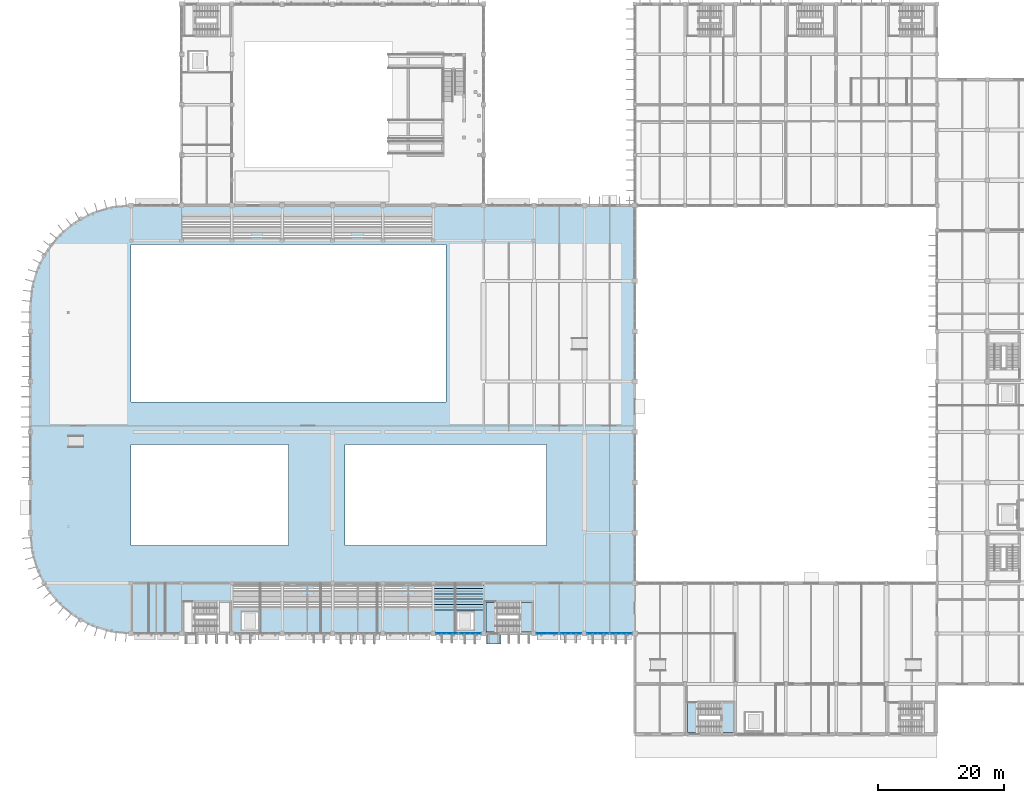
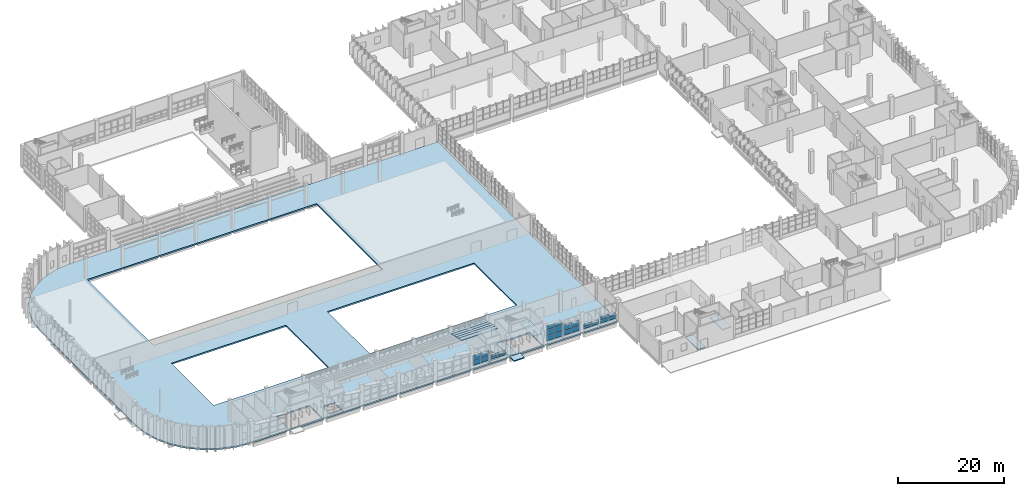
# One storey, part 54 of 103: 26 plates, 11 slabs, 8 elements without a shape of their own.
"""IFC4 building model written with IfcOpenShell, lengths in metres."""

from ifc_helpers import new_model, si_unit, direction, frame, origin, origin_2d, place, context, subcontext, project, spatial, polyline, rectangle, outline, extrude, material, layer, layer_set, type_object, element, aggregate, save


model = new_model("IFC4")

# Units and contexts
model_context = context("Model", 3, precision=1e-05, world=origin(), true_north=direction((0.0, 1.0)))
body_context = subcontext(model_context, "Body", "Model", "MODEL_VIEW")
ifc_project = project(units=[si_unit("LENGTHUNIT", "METRE"), si_unit("AREAUNIT", "SQUARE_METRE"), si_unit("VOLUMEUNIT", "CUBIC_METRE"), si_unit("PLANEANGLEUNIT", "RADIAN"), si_unit("MASSUNIT", "GRAM", prefix="KILO")], contexts=[model_context])

# Site, building, storey
site_placement = place(None, origin())
site = spatial("IfcSite", under=ifc_project, at=site_placement, CompositionType="ELEMENT")
building_placement = place(site_placement, origin())
building = spatial("IfcBuilding", under=site, at=building_placement, Name="Drelvana Railside Aquatics Centre", CompositionType="ELEMENT")
storey_placement = place(building_placement, origin())
storey = spatial("IfcBuildingStorey", under=building, at=storey_placement, Name="L00", CompositionType="ELEMENT", Elevation=0.0)

# Curtain wall, plates
ifc_material_1 = material(Name="Bronze-anodised aluminium curtain wall", Category="aluminium")
ifc_layer_1 = layer(ifc_material_1, 0.199951171875, Name="Bronze-anodised aluminium curtain wall")
ifc_layer_set_1 = layer_set([ifc_layer_1], Name="Bronze-anodised aluminium curtain wall")
curtain_wall_type = type_object("IfcCurtainWallType", Name="CW-Z1-SINE", PredefinedType="NOTDEFINED", material=ifc_layer_set_1)
curtain_wall_1_placement = place(storey_placement, origin())
curtain_wall_1 = element("IfcCurtainWall", 1, at=curtain_wall_1_placement, inside=storey, type_object=curtain_wall_type, Name="Curtain wall CW-01-011", PredefinedType="NOTDEFINED")
ifc_material_2 = material(Name="Double-glazed low-e solar-control glass", Category="glass")
ifc_layer_2 = layer(ifc_material_2, 0.031982421875, Name="Double-glazed low-e solar-control glass")
ifc_layer_set_2 = layer_set([ifc_layer_2], Name="Double-glazed low-e solar-control glass")
plate_type = type_object("IfcPlateType", Name="CW-Z1-SINE-PAN", PredefinedType="CURTAIN_PANEL", material=ifc_layer_set_2)
plate_1_placement = place(storey_placement, frame((65.279296875, 16.0, 0.708984375), z_axis=(0.0, 0.0, 1.0), x_axis=(1.0, 0.0, 0.0)))
plate_1 = element("IfcPlate", 2, at=plate_1_placement, type_object=plate_type, Name="CW-01 panel 1.1", PredefinedType="CURTAIN_PANEL", context=body_context, shape_type="SweptSolid", body=[
    extrude(rectangle(XDim=1.630615234375, YDim=0.031982421875, at=origin_2d()), origin(), (0.0, 0.0, 1.0), 0.990966796875),
])
plate_2_placement = place(storey_placement, frame((65.279296875, 16.0, 1.760009765625), z_axis=(0.0, 0.0, 1.0), x_axis=(1.0, 0.0, 0.0)))
plate_2 = element("IfcPlate", 3, at=plate_2_placement, type_object=plate_type, Name="CW-01 panel 1.2", PredefinedType="CURTAIN_PANEL", context=body_context, shape_type="SweptSolid", body=[
    extrude(rectangle(XDim=1.630615234375, YDim=0.031982421875, at=origin_2d()), origin(), (0.0, 0.0, 1.0), 1.23291015625),
])
plate_3_placement = place(storey_placement, frame((66.974853515625, 16.0, 0.708984375), z_axis=(0.0, 0.0, 1.0), x_axis=(1.0, 0.0, 0.0)))
plate_3 = element("IfcPlate", 4, at=plate_3_placement, type_object=plate_type, Name="CW-01 panel 2.1", PredefinedType="CURTAIN_PANEL", context=body_context, shape_type="SweptSolid", body=[
    extrude(rectangle(XDim=1.630615234375, YDim=0.031982421875, at=origin_2d()), origin(), (0.0, 0.0, 1.0), 0.990966796875),
])
plate_4_placement = place(storey_placement, frame((66.974853515625, 16.0, 1.760009765625), z_axis=(0.0, 0.0, 1.0), x_axis=(1.0, 0.0, 0.0)))
plate_4 = element("IfcPlate", 5, at=plate_4_placement, type_object=plate_type, Name="CW-01 panel 2.2", PredefinedType="CURTAIN_PANEL", context=body_context, shape_type="SweptSolid", body=[
    extrude(rectangle(XDim=1.630615234375, YDim=0.031982421875, at=origin_2d()), origin(), (0.0, 0.0, 1.0), 1.23291015625),
])
aggregate(curtain_wall_1, [plate_1, plate_2, plate_3, plate_4])

curtain_wall_2_placement = place(storey_placement, origin())
curtain_wall_2 = element("IfcCurtainWall", 6, at=curtain_wall_2_placement, inside=storey, type_object=curtain_wall_type, Name="Curtain wall CW-01-012", PredefinedType="NOTDEFINED")
plate_5_placement = place(storey_placement, frame((69.025146484375, 16.0, 0.708984375), z_axis=(0.0, 0.0, 1.0), x_axis=(1.0, 0.0, 0.0)))
plate_5 = element("IfcPlate", 7, at=plate_5_placement, type_object=plate_type, Name="CW-01 panel 1.1", PredefinedType="CURTAIN_PANEL", context=body_context, shape_type="SweptSolid", body=[
    extrude(rectangle(XDim=1.630615234375, YDim=0.031982421875, at=origin_2d()), origin(), (0.0, 0.0, 1.0), 0.45703125),
])
plate_6_placement = place(storey_placement, frame((69.025146484375, 16.0, 1.225830078125), z_axis=(0.0, 0.0, 1.0), x_axis=(1.0, 0.0, 0.0)))
plate_6 = element("IfcPlate", 8, at=plate_6_placement, type_object=plate_type, Name="CW-01 panel 1.2", PredefinedType="CURTAIN_PANEL", context=body_context, shape_type="SweptSolid", body=[
    extrude(rectangle(XDim=1.630615234375, YDim=0.031982421875, at=origin_2d()), origin(), (0.0, 0.0, 1.0), 0.5791015625),
])
plate_7_placement = place(storey_placement, frame((70.720703125, 16.0, 0.708984375), z_axis=(0.0, 0.0, 1.0), x_axis=(1.0, 0.0, 0.0)))
plate_7 = element("IfcPlate", 9, at=plate_7_placement, type_object=plate_type, Name="CW-01 panel 2.1", PredefinedType="CURTAIN_PANEL", context=body_context, shape_type="SweptSolid", body=[
    extrude(rectangle(XDim=1.630615234375, YDim=0.031982421875, at=origin_2d()), origin(), (0.0, 0.0, 1.0), 0.45703125),
])
plate_8_placement = place(storey_placement, frame((70.720703125, 16.0, 1.225830078125), z_axis=(0.0, 0.0, 1.0), x_axis=(1.0, 0.0, 0.0)))
plate_8 = element("IfcPlate", 10, at=plate_8_placement, type_object=plate_type, Name="CW-01 panel 2.2", PredefinedType="CURTAIN_PANEL", context=body_context, shape_type="SweptSolid", body=[
    extrude(rectangle(XDim=1.630615234375, YDim=0.031982421875, at=origin_2d()), origin(), (0.0, 0.0, 1.0), 0.5791015625),
])
aggregate(curtain_wall_2, [plate_5, plate_6, plate_7, plate_8])

curtain_wall_3_placement = place(storey_placement, origin())
curtain_wall_3 = element("IfcCurtainWall", 11, at=curtain_wall_3_placement, inside=storey, type_object=curtain_wall_type, Name="Curtain wall CW-01-013", PredefinedType="NOTDEFINED")
plate_9_placement = place(storey_placement, frame((81.279296875, 16.0, 0.708984375), z_axis=(0.0, 0.0, 1.0), x_axis=(1.0, 0.0, 0.0)))
plate_9 = element("IfcPlate", 12, at=plate_9_placement, type_object=plate_type, Name="CW-01 panel 1.1", PredefinedType="CURTAIN_PANEL", context=body_context, shape_type="SweptSolid", body=[
    extrude(rectangle(XDim=1.630615234375, YDim=0.031982421875, at=origin_2d()), origin(), (0.0, 0.0, 1.0), 1.18603515625),
])
plate_10_placement = place(storey_placement, frame((81.279296875, 16.0, 1.955078125), z_axis=(0.0, 0.0, 1.0), x_axis=(1.0, 0.0, 0.0)))
plate_10 = element("IfcPlate", 13, at=plate_10_placement, type_object=plate_type, Name="CW-01 panel 1.2", PredefinedType="CURTAIN_PANEL", context=body_context, shape_type="SweptSolid", body=[
    extrude(rectangle(XDim=1.630615234375, YDim=0.031982421875, at=origin_2d()), origin(), (0.0, 0.0, 1.0), 1.294921875),
])
plate_11_placement = place(storey_placement, frame((81.279296875, 16.0, 3.31005859375), z_axis=(0.0, 0.0, 1.0), x_axis=(1.0, 0.0, 0.0)))
plate_11 = element("IfcPlate", 14, at=plate_11_placement, type_object=plate_type, Name="CW-01 panel 1.3", PredefinedType="CURTAIN_PANEL", context=body_context, shape_type="SweptSolid", body=[
    extrude(rectangle(XDim=1.630615234375, YDim=0.031982421875, at=origin_2d()), origin(), (0.0, 0.0, 1.0), 0.929931640625),
])
plate_12_placement = place(storey_placement, frame((82.974853515625, 16.0, 0.708984375), z_axis=(0.0, 0.0, 1.0), x_axis=(1.0, 0.0, 0.0)))
plate_12 = element("IfcPlate", 15, at=plate_12_placement, type_object=plate_type, Name="CW-01 panel 2.1", PredefinedType="CURTAIN_PANEL", context=body_context, shape_type="SweptSolid", body=[
    extrude(rectangle(XDim=1.630615234375, YDim=0.031982421875, at=origin_2d()), origin(), (0.0, 0.0, 1.0), 1.18603515625),
])
plate_13_placement = place(storey_placement, frame((82.974853515625, 16.0, 1.955078125), z_axis=(0.0, 0.0, 1.0), x_axis=(1.0, 0.0, 0.0)))
plate_13 = element("IfcPlate", 16, at=plate_13_placement, type_object=plate_type, Name="CW-01 panel 2.2", PredefinedType="CURTAIN_PANEL", context=body_context, shape_type="SweptSolid", body=[
    extrude(rectangle(XDim=1.630615234375, YDim=0.031982421875, at=origin_2d()), origin(), (0.0, 0.0, 1.0), 1.294921875),
])
plate_14_placement = place(storey_placement, frame((82.974853515625, 16.0, 3.31005859375), z_axis=(0.0, 0.0, 1.0), x_axis=(1.0, 0.0, 0.0)))
plate_14 = element("IfcPlate", 17, at=plate_14_placement, type_object=plate_type, Name="CW-01 panel 2.3", PredefinedType="CURTAIN_PANEL", context=body_context, shape_type="SweptSolid", body=[
    extrude(rectangle(XDim=1.630615234375, YDim=0.031982421875, at=origin_2d()), origin(), (0.0, 0.0, 1.0), 0.929931640625),
])
aggregate(curtain_wall_3, [plate_9, plate_10, plate_11, plate_12, plate_13, plate_14])

curtain_wall_4_placement = place(storey_placement, origin())
curtain_wall_4 = element("IfcCurtainWall", 18, at=curtain_wall_4_placement, inside=storey, type_object=curtain_wall_type, Name="Curtain wall CW-01-014", PredefinedType="NOTDEFINED")
plate_15_placement = place(storey_placement, frame((85.025146484375, 16.0, 0.708984375), z_axis=(0.0, 0.0, 1.0), x_axis=(1.0, 0.0, 0.0)))
plate_15 = element("IfcPlate", 19, at=plate_15_placement, type_object=plate_type, Name="CW-01 panel 1.1", PredefinedType="CURTAIN_PANEL", context=body_context, shape_type="SweptSolid", body=[
    extrude(rectangle(XDim=1.630615234375, YDim=0.031982421875, at=origin_2d()), origin(), (0.0, 0.0, 1.0), 1.055908203125),
])
plate_16_placement = place(storey_placement, frame((85.025146484375, 16.0, 1.824951171875), z_axis=(0.0, 0.0, 1.0), x_axis=(1.0, 0.0, 0.0)))
plate_16 = element("IfcPlate", 20, at=plate_16_placement, type_object=plate_type, Name="CW-01 panel 1.2", PredefinedType="CURTAIN_PANEL", context=body_context, shape_type="SweptSolid", body=[
    extrude(rectangle(XDim=1.630615234375, YDim=0.031982421875, at=origin_2d()), origin(), (0.0, 0.0, 1.0), 1.31201171875),
])
plate_17_placement = place(storey_placement, frame((86.720703125, 16.0, 0.708984375), z_axis=(0.0, 0.0, 1.0), x_axis=(1.0, 0.0, 0.0)))
plate_17 = element("IfcPlate", 21, at=plate_17_placement, type_object=plate_type, Name="CW-01 panel 2.1", PredefinedType="CURTAIN_PANEL", context=body_context, shape_type="SweptSolid", body=[
    extrude(rectangle(XDim=1.630615234375, YDim=0.031982421875, at=origin_2d()), origin(), (0.0, 0.0, 1.0), 1.055908203125),
])
plate_18_placement = place(storey_placement, frame((86.720703125, 16.0, 1.824951171875), z_axis=(0.0, 0.0, 1.0), x_axis=(1.0, 0.0, 0.0)))
plate_18 = element("IfcPlate", 22, at=plate_18_placement, type_object=plate_type, Name="CW-01 panel 2.2", PredefinedType="CURTAIN_PANEL", context=body_context, shape_type="SweptSolid", body=[
    extrude(rectangle(XDim=1.630615234375, YDim=0.031982421875, at=origin_2d()), origin(), (0.0, 0.0, 1.0), 1.31201171875),
])
aggregate(curtain_wall_4, [plate_15, plate_16, plate_17, plate_18])

curtain_wall_5_placement = place(storey_placement, origin())
curtain_wall_5 = element("IfcCurtainWall", 23, at=curtain_wall_5_placement, inside=storey, type_object=curtain_wall_type, Name="Curtain wall CW-01-015", PredefinedType="NOTDEFINED")
plate_19_placement = place(storey_placement, frame((89.279296875, 16.0, 0.708984375), z_axis=(0.0, 0.0, 1.0), x_axis=(1.0, 0.0, 0.0)))
plate_19 = element("IfcPlate", 24, at=plate_19_placement, type_object=plate_type, Name="CW-01 panel 1.1", PredefinedType="CURTAIN_PANEL", context=body_context, shape_type="SweptSolid", body=[
    extrude(rectangle(XDim=1.630615234375, YDim=0.031982421875, at=origin_2d()), origin(), (0.0, 0.0, 1.0), 0.43701171875),
])
plate_20_placement = place(storey_placement, frame((89.279296875, 16.0, 1.2060546875), z_axis=(0.0, 0.0, 1.0), x_axis=(1.0, 0.0, 0.0)))
plate_20 = element("IfcPlate", 25, at=plate_20_placement, type_object=plate_type, Name="CW-01 panel 1.2", PredefinedType="CURTAIN_PANEL", context=body_context, shape_type="SweptSolid", body=[
    extrude(rectangle(XDim=1.630615234375, YDim=0.031982421875, at=origin_2d()), origin(), (0.0, 0.0, 1.0), 0.554931640625),
])
plate_21_placement = place(storey_placement, frame((90.974853515625, 16.0, 0.708984375), z_axis=(0.0, 0.0, 1.0), x_axis=(1.0, 0.0, 0.0)))
plate_21 = element("IfcPlate", 26, at=plate_21_placement, type_object=plate_type, Name="CW-01 panel 2.1", PredefinedType="CURTAIN_PANEL", context=body_context, shape_type="SweptSolid", body=[
    extrude(rectangle(XDim=1.630615234375, YDim=0.031982421875, at=origin_2d()), origin(), (0.0, 0.0, 1.0), 0.43701171875),
])
plate_22_placement = place(storey_placement, frame((90.974853515625, 16.0, 1.2060546875), z_axis=(0.0, 0.0, 1.0), x_axis=(1.0, 0.0, 0.0)))
plate_22 = element("IfcPlate", 27, at=plate_22_placement, type_object=plate_type, Name="CW-01 panel 2.2", PredefinedType="CURTAIN_PANEL", context=body_context, shape_type="SweptSolid", body=[
    extrude(rectangle(XDim=1.630615234375, YDim=0.031982421875, at=origin_2d()), origin(), (0.0, 0.0, 1.0), 0.554931640625),
])
aggregate(curtain_wall_5, [plate_19, plate_20, plate_21, plate_22])

curtain_wall_6_placement = place(storey_placement, origin())
curtain_wall_6 = element("IfcCurtainWall", 28, at=curtain_wall_6_placement, inside=storey, type_object=curtain_wall_type, Name="Curtain wall CW-01-016", PredefinedType="NOTDEFINED")
plate_23_placement = place(storey_placement, frame((93.025146484375, 16.0, 0.708984375), z_axis=(0.0, 0.0, 1.0), x_axis=(1.0, 0.0, 0.0)))
plate_23 = element("IfcPlate", 29, at=plate_23_placement, type_object=plate_type, Name="CW-01 panel 1.1", PredefinedType="CURTAIN_PANEL", context=body_context, shape_type="SweptSolid", body=[
    extrude(rectangle(XDim=1.630615234375, YDim=0.031982421875, at=origin_2d()), origin(), (0.0, 0.0, 1.0), 0.64111328125),
])
plate_24_placement = place(storey_placement, frame((93.025146484375, 16.0, 1.41015625), z_axis=(0.0, 0.0, 1.0), x_axis=(1.0, 0.0, 0.0)))
plate_24 = element("IfcPlate", 30, at=plate_24_placement, type_object=plate_type, Name="CW-01 panel 1.2", PredefinedType="CURTAIN_PANEL", context=body_context, shape_type="SweptSolid", body=[
    extrude(rectangle(XDim=1.630615234375, YDim=0.031982421875, at=origin_2d()), origin(), (0.0, 0.0, 1.0), 0.803955078125),
])
plate_25_placement = place(storey_placement, frame((94.720703125, 16.0, 0.708984375), z_axis=(0.0, 0.0, 1.0), x_axis=(1.0, 0.0, 0.0)))
plate_25 = element("IfcPlate", 31, at=plate_25_placement, type_object=plate_type, Name="CW-01 panel 2.1", PredefinedType="CURTAIN_PANEL", context=body_context, shape_type="SweptSolid", body=[
    extrude(rectangle(XDim=1.630615234375, YDim=0.031982421875, at=origin_2d()), origin(), (0.0, 0.0, 1.0), 0.64111328125),
])
plate_26_placement = place(storey_placement, frame((94.720703125, 16.0, 1.41015625), z_axis=(0.0, 0.0, 1.0), x_axis=(1.0, 0.0, 0.0)))
plate_26 = element("IfcPlate", 32, at=plate_26_placement, type_object=plate_type, Name="CW-01 panel 2.2", PredefinedType="CURTAIN_PANEL", context=body_context, shape_type="SweptSolid", body=[
    extrude(rectangle(XDim=1.630615234375, YDim=0.031982421875, at=origin_2d()), origin(), (0.0, 0.0, 1.0), 0.803955078125),
])
aggregate(curtain_wall_6, [plate_23, plate_24, plate_25, plate_26])

# Slabs
ifc_material_3 = material(Name="Concrete C40/50", Category="concrete")
ifc_layer_3 = layer(ifc_material_3, 0.330078125, Name="Concrete C40/50")
ifc_layer_set_3 = layer_set([ifc_layer_3], Name="Concrete C40/50")
slab_type_1 = type_object("IfcSlabType", Name="SL-L00-330", PredefinedType="FLOOR", material=ifc_layer_set_3)
slab_1_placement = place(storey_placement, frame((0.0, 0.0, -0.330078125)))
element("IfcSlab", 33, at=slab_1_placement, inside=storey, type_object=slab_type_1, Name="Pool Hall ground surround deck slab", PredefinedType="FLOOR", context=body_context, shape_type="SweptSolid", body=[
    extrude(outline(polyline([(0.0, 32.0), (0.307373046875, 28.878662109375), (1.218017578125, 25.876953125), (2.696533203125, 23.11083984375), (4.686279296875, 20.686279296875), (7.11083984375, 18.696533203125), (9.876953125, 17.218017578125), (12.878662109375, 16.307373046875), (16.0, 16.0), (96.0, 16.0), (96.0, 84.0), (16.0, 84.0), (12.878662109375, 83.692626953125), (9.876953125, 82.781982421875), (7.11083984375, 81.303466796875), (4.686279296875, 79.313720703125), (2.696533203125, 76.88916015625), (1.218017578125, 74.123046875), (0.307373046875, 71.121337890625), (0.0, 68.0), (0.0, 32.0)]), holes=[polyline([(16.0, 52.800048828125), (66.0, 52.800048828125), (66.0, 77.800048828125), (16.0, 77.800048828125), (16.0, 52.800048828125)]), polyline([(16.0, 30.0), (41.0, 30.0), (41.0, 46.0), (16.0, 46.0), (16.0, 30.0)]), polyline([(50.0, 30.0), (82.0, 30.0), (82.0, 46.0), (50.0, 46.0), (50.0, 30.0)]), polyline([(24.35009765625, 16.25), (31.64990234375, 16.25), (31.64990234375, 20.949951171875), (24.35009765625, 20.949951171875), (24.35009765625, 16.25)]), polyline([(33.60009765625, 16.60009765625), (36.199951171875, 16.60009765625), (36.199951171875, 19.39990234375), (33.60009765625, 19.39990234375), (33.60009765625, 16.60009765625)]), polyline([(72.35009765625, 16.25), (79.64990234375, 16.25), (79.64990234375, 20.949951171875), (72.35009765625, 20.949951171875), (72.35009765625, 16.25)]), polyline([(67.800048828125, 16.60009765625), (70.39990234375, 16.60009765625), (70.39990234375, 19.39990234375), (67.800048828125, 19.39990234375), (67.800048828125, 16.60009765625)])]), origin(), (0.0, 0.0, 1.0), 0.330078125),
])
ifc_layer_4 = layer(ifc_material_3, 0.199951171875, Name="Concrete C40/50")
ifc_layer_set_4 = layer_set([ifc_layer_4], Name="Concrete C40/50")
slab_type_2 = type_object("IfcSlabType", Name="SL-LAND-200", PredefinedType="LANDING", material=ifc_layer_set_4)
slab_2_placement = place(storey_placement, frame((0.0, 0.0, -0.199951171875)))
element("IfcSlab", 34, at=slab_2_placement, inside=storey, type_object=slab_type_2, Name="Stair ST-02 L00 floor landing", PredefinedType="LANDING", context=body_context, shape_type="SweptSolid", body=[
    extrude(outline(polyline([(72.35009765625, 16.25), (74.030029296875, 16.25), (74.030029296875, 20.949951171875), (72.35009765625, 20.949951171875), (72.35009765625, 16.25)])), origin(), (0.0, 0.0, 1.0), 0.199951171875),
])

# Stair, slab
stair_type = type_object("IfcStairType", Name="ST-CORE-L00", PredefinedType="HALF_TURN_STAIR", material=ifc_material_3)
stair_1_placement = place(storey_placement, origin())
stair_1 = element("IfcStair", 35, at=stair_1_placement, inside=storey, type_object=stair_type, Name="Exit stair ST-02 (L00 to L01)", PredefinedType="HALF_TURN_STAIR")
slab_3_placement = place(storey_placement, frame((0.0, 0.0, 2.5)))
slab_3 = element("IfcSlab", 36, at=slab_3_placement, type_object=slab_type_2, Name="ST-L0 landing 1", PredefinedType="LANDING", context=body_context, shape_type="SweptSolid", body=[
    extrude(outline(polyline([(77.659912109375, 16.25), (79.64990234375, 16.25), (79.64990234375, 20.949951171875), (77.659912109375, 20.949951171875), (77.659912109375, 16.25)])), origin(), (0.0, 0.0, 1.0), 0.199951171875),
])
aggregate(stair_1, [slab_3])

# Slab
slab_4_placement = place(storey_placement, frame((0.0, 0.0, -0.199951171875)))
element("IfcSlab", 37, at=slab_4_placement, inside=storey, type_object=slab_type_2, Name="Stair ST-04 L00 floor landing", PredefinedType="LANDING", context=body_context, shape_type="SweptSolid", body=[
    extrude(outline(polyline([(104.35009765625, 0.25), (106.030029296875, 0.25), (106.030029296875, 4.949951171875), (104.35009765625, 4.949951171875), (104.35009765625, 0.25)])), origin(), (0.0, 0.0, 1.0), 0.199951171875),
])

# Stair, slab
stair_2_placement = place(storey_placement, origin())
stair_2 = element("IfcStair", 38, at=stair_2_placement, inside=storey, type_object=stair_type, Name="Exit stair ST-04 (L00 to L01)", PredefinedType="HALF_TURN_STAIR")
slab_5_placement = place(storey_placement, frame((0.0, 0.0, 2.5)))
slab_5 = element("IfcSlab", 39, at=slab_5_placement, type_object=slab_type_2, Name="ST-L0 landing 1", PredefinedType="LANDING", context=body_context, shape_type="SweptSolid", body=[
    extrude(outline(polyline([(109.659912109375, 0.25), (111.64990234375, 0.25), (111.64990234375, 4.949951171875), (109.659912109375, 4.949951171875), (109.659912109375, 0.25)])), origin(), (0.0, 0.0, 1.0), 0.199951171875),
])
aggregate(stair_2, [slab_5])

# Slabs
ifc_material_4 = material(Name="Precast concrete C40/50", Category="concrete")
ifc_layer_5 = layer(ifc_material_4, 0.2099609375, Name="Precast concrete C40/50")
ifc_layer_set_5 = layer_set([ifc_layer_5], Name="Precast concrete C40/50")
slab_type_3 = type_object("IfcSlabType", Name="SL-PAV-210", PredefinedType="BASESLAB", material=ifc_layer_set_5)
slab_6_placement = place(storey_placement, frame((0.0, 0.0, -0.2099609375)))
element("IfcSlab", 40, at=slab_6_placement, inside=storey, type_object=slab_type_3, Name="Exterior threshold landing apron 002", PredefinedType="BASESLAB", context=body_context, shape_type="SweptSolid", body=[
    extrude(outline(polyline([(72.425048828125, 14.344970703125), (74.72509765625, 14.344970703125), (74.72509765625, 15.9951171875), (72.425048828125, 15.9951171875), (72.425048828125, 14.344970703125)])), origin(), (0.0, 0.0, 1.0), 0.2099609375),
])
ifc_layer_6 = layer(ifc_material_4, 0.195068359375, Name="Precast concrete C40/50")
ifc_layer_set_6 = layer_set([ifc_layer_6], Name="Precast concrete C40/50")
slab_type_4 = type_object("IfcSlabType", Name="SL-TIER-195", PredefinedType="USERDEFINED", material=ifc_layer_set_6)
slab_7_placement = place(storey_placement, frame((0.0, 0.0, 3.466796875)))
element("IfcSlab", 41, at=slab_7_placement, inside=storey, type_object=slab_type_4, Name="Stand Lower Tier S Bay 5 Row 1", ObjectType="SEATING TIER", PredefinedType="USERDEFINED", context=body_context, shape_type="SweptSolid", body=[
    extrude(outline(polyline([(64.0, 23.14990234375), (72.0, 23.14990234375), (72.0, 24.0), (64.0, 24.0), (64.0, 23.14990234375)])), origin(), (0.0, 0.0, 1.0), 0.195068359375),
])
slab_8_placement = place(storey_placement, frame((0.0, 0.0, 3.650634765625)))
element("IfcSlab", 42, at=slab_8_placement, inside=storey, type_object=slab_type_4, Name="Stand Lower Tier S Bay 5 Row 2", ObjectType="SEATING TIER", PredefinedType="USERDEFINED", context=body_context, shape_type="SweptSolid", body=[
    extrude(outline(polyline([(64.0, 22.300048828125), (72.0, 22.300048828125), (72.0, 23.14990234375), (64.0, 23.14990234375), (64.0, 22.300048828125)])), origin(), (0.0, 0.0, 1.0), 0.195068359375),
])
slab_9_placement = place(storey_placement, frame((0.0, 0.0, 3.83447265625)))
element("IfcSlab", 43, at=slab_9_placement, inside=storey, type_object=slab_type_4, Name="Stand Lower Tier S Bay 5 Row 3", ObjectType="SEATING TIER", PredefinedType="USERDEFINED", context=body_context, shape_type="SweptSolid", body=[
    extrude(outline(polyline([(64.0, 21.449951171875), (72.0, 21.449951171875), (72.0, 22.300048828125), (64.0, 22.300048828125), (64.0, 21.449951171875)])), origin(), (0.0, 0.0, 1.0), 0.195068359375),
])
slab_10_placement = place(storey_placement, frame((0.0, 0.0, 4.018310546875)))
element("IfcSlab", 44, at=slab_10_placement, inside=storey, type_object=slab_type_4, Name="Stand Lower Tier S Bay 5 Row 4", ObjectType="SEATING TIER", PredefinedType="USERDEFINED", context=body_context, shape_type="SweptSolid", body=[
    extrude(outline(polyline([(64.0, 20.60009765625), (72.0, 20.60009765625), (72.0, 21.449951171875), (64.0, 21.449951171875), (64.0, 20.60009765625)])), origin(), (0.0, 0.0, 1.0), 0.195068359375),
])
slab_11_placement = place(storey_placement, frame((0.0, 0.0, 4.2021484375)))
element("IfcSlab", 45, at=slab_11_placement, inside=storey, type_object=slab_type_4, Name="Stand Lower Tier S Bay 5 Row 5", ObjectType="SEATING TIER", PredefinedType="USERDEFINED", context=body_context, shape_type="SweptSolid", body=[
    extrude(outline(polyline([(64.0, 19.75), (72.0, 19.75), (72.0, 20.60009765625), (64.0, 20.60009765625), (64.0, 19.75)])), origin(), (0.0, 0.0, 1.0), 0.195068359375),
])

save(model, "model.ifc")
